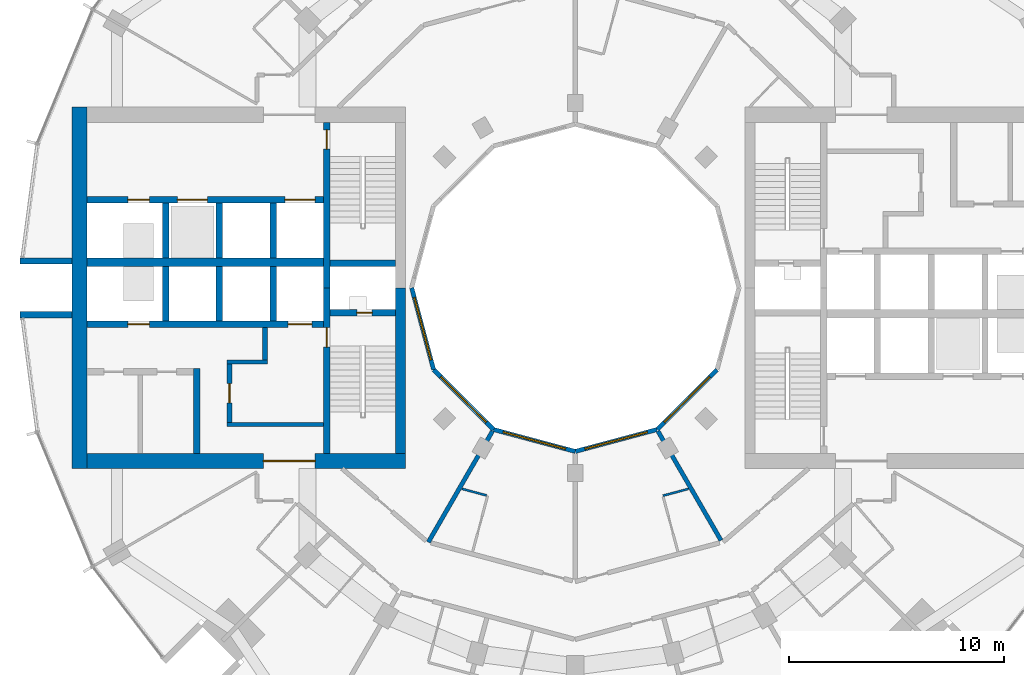
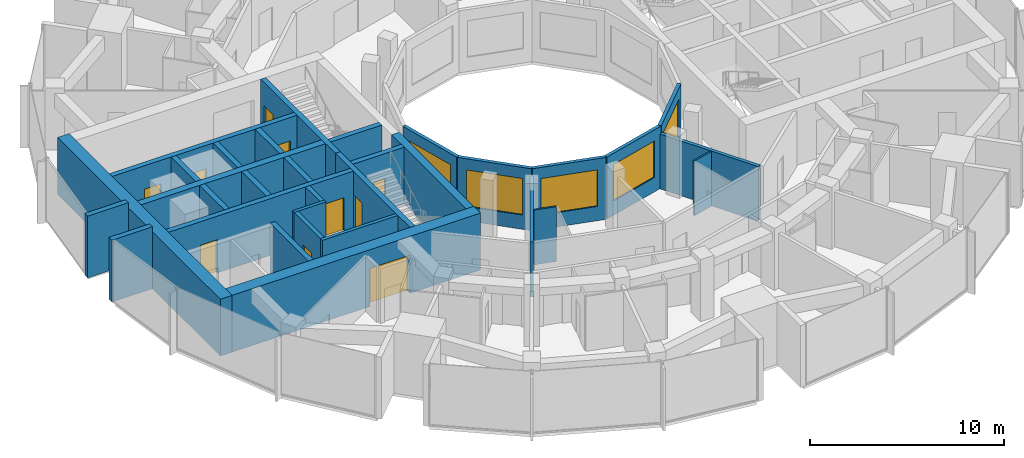
# One storey, part 9 of 15: 32 walls, 10 doors, 5 windows, 15 openings.
"""IFC4 building model written with IfcOpenShell, lengths in metres."""

from ifc_helpers import new_model, si_unit, direction, frame, frame_2d, origin, place, context, subcontext, project, spatial, rectangle, extrude, material, layer, layer_set, type_object, element, fill, save


model = new_model("IFC4")

# Units and contexts
model_context = context("Model", 3, precision=1e-05, world=origin(), true_north=direction((0.0, 1.0)))
body_context = subcontext(model_context, "Body", "Model", "MODEL_VIEW")
ifc_project = project(units=[si_unit("LENGTHUNIT", "METRE"), si_unit("AREAUNIT", "SQUARE_METRE"), si_unit("VOLUMEUNIT", "CUBIC_METRE"), si_unit("PLANEANGLEUNIT", "RADIAN"), si_unit("MASSUNIT", "GRAM", prefix="KILO")], contexts=[model_context])

# Site, building, storey
site_placement = place(None, origin())
site = spatial("IfcSite", under=ifc_project, at=site_placement, CompositionType="ELEMENT")
building_placement = place(site_placement, origin())
building = spatial("IfcBuilding", under=site, at=building_placement, Name="Torre Brocal", CompositionType="ELEMENT")
storey_placement = place(building_placement, frame((0.0, 0.0, 118.5)))
storey = spatial("IfcBuildingStorey", under=building, at=storey_placement, Name="L27", CompositionType="ELEMENT", Elevation=118.5)

# Walls
ifc_material_1 = material(Name="Concrete C70", Category="concrete")
ifc_layer_1 = layer(ifc_material_1, 0.199951171875)
ifc_layer_set_1 = layer_set([ifc_layer_1], Name="Concrete C70")
wall_type_1 = type_object("IfcWallType", Name="CORE WALL 200 C70", PredefinedType="SHEAR", material=ifc_layer_set_1)
wall_1_placement = place(storey_placement, frame((68.300048828125, 68.64990234375, 0.0), z_axis=(0.0, 0.0, 1.0), x_axis=(-1.0, 0.0, 0.0)))
element("IfcWall", 1, at=wall_1_placement, inside=storey, type_object=wall_type_1, Name="Wall CW200-70", PredefinedType="SHEAR", context=body_context, shape_type="SweptSolid", body=[
    extrude(rectangle(XDim=4.5, YDim=0.199951171875, at=frame_2d((2.25, 0.0))), origin(), (0.0, 0.0, 1.0), 3.580078125),
])
wall_2_placement = place(storey_placement, frame((65.699951171875, 71.550048828125, 0.0), z_axis=(0.0, 0.0, 1.0), x_axis=(-1.0, 0.0, 0.0)))
element("IfcWall", 2, at=wall_2_placement, inside=storey, type_object=wall_type_1, Name="Wall CW200-70", PredefinedType="SHEAR", context=body_context, shape_type="SweptSolid", body=[
    extrude(rectangle(XDim=1.89990234375, YDim=0.199951171875, at=frame_2d((0.949951171875, 0.0))), origin(), (0.0, 0.0, 1.0), 3.580078125),
])

# Wall, opening, door
ifc_material_2 = material(Name="Concrete C70", Category="concrete")
ifc_layer_2 = layer(ifc_material_2, 0.25)
ifc_layer_set_2 = layer_set([ifc_layer_2], Name="Concrete C70")
wall_type_2 = type_object("IfcWallType", Name="CORE WALL 250 C70", PredefinedType="SHEAR", material=ifc_layer_set_2)
wall_3_placement = place(storey_placement, frame((63.925048828125, 71.449951171875, 0.0), z_axis=(0.0, 0.0, 1.0), x_axis=(0.0, -1.0, 0.0)))
wall_3 = element("IfcWall", 3, at=wall_3_placement, inside=storey, type_object=wall_type_2, Name="Wall CW250-70", PredefinedType="SHEAR", context=body_context, shape_type="SweptSolid", body=[
    extrude(rectangle(XDim=2.699951171875, YDim=0.25, at=frame_2d((1.35009765625, 0.0))), origin(), (0.0, 0.0, 1.0), 3.580078125),
])
opening_1_placement = place(wall_3_placement, frame((0.89990234375, 0.0, 0.0)))
opening_1 = element("IfcOpeningElement", 4, at=opening_1_placement, cuts=wall_3, Name="Opening W-D15", PredefinedType="OPENING", context=body_context, shape_type="SweptSolid", body=[
    extrude(rectangle(XDim=0.89990234375, YDim=2.10009765625, at=frame_2d((0.449951171875, 1.050048828125))), frame((0.0, 0.135009765625, 0.0), z_axis=(0.0, -1.0, 0.0), x_axis=(1.0, 0.0, 0.0)), (0.0, 0.0, 1.0), 0.27001953125),
])
ifc_material_3 = material(Name="Steel A653", Category="steel")
door_type_1 = type_object("IfcDoorType", Name="LOBBY DOOR FD120 900X2100", OperationType="SINGLE_SWING_RIGHT", PredefinedType="DOOR", material=ifc_material_3)
door_1_placement = place(opening_1_placement, origin())
door_1 = element("IfcDoor", 5, at=door_1_placement, inside=storey, type_object=door_type_1, Name="Door W-D15", OperationType="SINGLE_SWING_LEFT", OverallHeight=2.10009765625, OverallWidth=0.89990234375, PredefinedType="DOOR", context=body_context, shape_type="SweptSolid", body=[
    extrude(rectangle(XDim=0.89990234375, YDim=2.10009765625, at=frame_2d((0.449951171875, 1.050048828125))), frame((0.0, 0.02490234375, 0.0), z_axis=(0.0, -1.0, 0.0), x_axis=(1.0, 0.0, 0.0)), (0.0, 0.0, 1.0), 0.050048828125),
])
fill(opening_1, door_1)

# Wall
wall_4_placement = place(storey_placement, frame((65.574951171875, 73.14990234375, 0.0), z_axis=(0.0, 0.0, 1.0), x_axis=(0.0, -1.0, 0.0)))
element("IfcWall", 6, at=wall_4_placement, inside=storey, type_object=wall_type_2, Name="Wall CW250-70", PredefinedType="SHEAR", context=body_context, shape_type="SweptSolid", body=[
    extrude(rectangle(XDim=1.5, YDim=0.25, at=frame_2d((0.75, 0.0))), origin(), (0.0, 0.0, 1.0), 3.580078125),
])

# Wall, opening, door
ifc_material_4 = material(Name="Concrete C70", Category="concrete")
ifc_layer_3 = layer(ifc_material_4, 0.300048828125)
ifc_layer_set_3 = layer_set([ifc_layer_3], Name="Concrete C70")
wall_type_3 = type_object("IfcWallType", Name="CORE WALL 300 C70", PredefinedType="SHEAR", material=ifc_layer_set_3)
wall_5_placement = place(storey_placement, frame((68.449951171875, 75.0, 0.0), z_axis=(0.0, 0.0, 1.0), x_axis=(0.0, -1.0, 0.0)))
wall_5 = element("IfcWall", 7, at=wall_5_placement, inside=storey, type_object=wall_type_3, Name="Wall CW300-70", PredefinedType="SHEAR", context=body_context, shape_type="SweptSolid", body=[
    extrude(rectangle(XDim=7.699951171875, YDim=0.300048828125, at=frame_2d((3.85009765625, 0.0))), origin(), (0.0, 0.0, 1.0), 3.580078125),
])
opening_2_placement = place(wall_5_placement, frame((1.85009765625, 0.0, 0.0)))
opening_2 = element("IfcOpeningElement", 8, at=opening_2_placement, cuts=wall_5, Name="Opening W-D02", PredefinedType="OPENING", context=body_context, shape_type="SweptSolid", body=[
    extrude(rectangle(XDim=0.89990234375, YDim=2.10009765625, at=frame_2d((0.449951171875, 1.050048828125))), frame((0.0, 0.159912109375, 0.0), z_axis=(0.0, -1.0, 0.0), x_axis=(1.0, 0.0, 0.0)), (0.0, 0.0, 1.0), 0.320068359375),
])
ifc_material_5 = material(Name="Steel A653", Category="steel")
door_type_2 = type_object("IfcDoorType", Name="STAIR DOOR FD120 900X2100", OperationType="SINGLE_SWING_RIGHT", PredefinedType="DOOR", material=ifc_material_5)
door_2_placement = place(opening_2_placement, origin())
door_2 = element("IfcDoor", 9, at=door_2_placement, inside=storey, type_object=door_type_2, Name="Door W-D02", OperationType="SINGLE_SWING_LEFT", OverallHeight=2.10009765625, OverallWidth=0.89990234375, PredefinedType="DOOR", context=body_context, shape_type="SweptSolid", body=[
    extrude(rectangle(XDim=0.89990234375, YDim=2.10009765625, at=frame_2d((0.449951171875, 1.050048828125))), frame((0.0, 0.02490234375, 0.0), z_axis=(0.0, -1.0, 0.0), x_axis=(1.0, 0.0, 0.0)), (0.0, 0.0, 1.0), 0.050048828125),
])
fill(opening_2, door_2)

wall_6_placement = place(storey_placement, frame((68.449951171875, 82.699951171875, 0.0), z_axis=(0.0, 0.0, 1.0), x_axis=(0.0, -1.0, 0.0)))
wall_6 = element("IfcWall", 10, at=wall_6_placement, inside=storey, type_object=wall_type_3, Name="Wall CW300-70", PredefinedType="SHEAR", context=body_context, shape_type="SweptSolid", body=[
    extrude(rectangle(XDim=7.699951171875, YDim=0.300048828125, at=frame_2d((3.85009765625, 0.0))), origin(), (0.0, 0.0, 1.0), 3.580078125),
])
opening_3_placement = place(wall_6_placement, frame((0.35009765625, 0.0, 0.0)))
opening_3 = element("IfcOpeningElement", 11, at=opening_3_placement, cuts=wall_6, Name="Opening W-D03", PredefinedType="OPENING", context=body_context, shape_type="SweptSolid", body=[
    extrude(rectangle(XDim=0.89990234375, YDim=2.10009765625, at=frame_2d((0.449951171875, 1.050048828125))), frame((0.0, 0.159912109375, 0.0), z_axis=(0.0, -1.0, 0.0), x_axis=(1.0, 0.0, 0.0)), (0.0, 0.0, 1.0), 0.320068359375),
])
door_3_placement = place(opening_3_placement, origin())
door_3 = element("IfcDoor", 12, at=door_3_placement, inside=storey, type_object=door_type_2, Name="Door W-D03", OperationType="SINGLE_SWING_LEFT", OverallHeight=2.10009765625, OverallWidth=0.89990234375, PredefinedType="DOOR", context=body_context, shape_type="SweptSolid", body=[
    extrude(rectangle(XDim=0.89990234375, YDim=2.10009765625, at=frame_2d((0.449951171875, 1.050048828125))), frame((0.0, 0.02490234375, 0.0), z_axis=(0.0, -1.0, 0.0), x_axis=(1.0, 0.0, 0.0)), (0.0, 0.0, 1.0), 0.050048828125),
])
fill(opening_3, door_3)

wall_7_placement = place(storey_placement, frame((71.64990234375, 73.85009765625, 0.0), z_axis=(0.0, 0.0, 1.0), x_axis=(-1.0, 0.0, 0.0)))
wall_7 = element("IfcWall", 13, at=wall_7_placement, inside=storey, type_object=wall_type_3, Name="Wall CW300-70", PredefinedType="SHEAR", context=body_context, shape_type="SweptSolid", body=[
    extrude(rectangle(XDim=3.0498046875, YDim=0.300048828125, at=frame_2d((1.52490234375, 0.0))), origin(), (0.0, 0.0, 1.0), 3.580078125),
])
opening_4_placement = place(wall_7_placement, frame((1.10009765625, 0.0, 0.0)))
opening_4 = element("IfcOpeningElement", 14, at=opening_4_placement, cuts=wall_7, Name="Opening W-D01", PredefinedType="OPENING", context=body_context, shape_type="SweptSolid", body=[
    extrude(rectangle(XDim=0.699951171875, YDim=2.0, at=frame_2d((0.35009765625, 1.0))), frame((0.0, 0.159912109375, 0.0), z_axis=(0.0, -1.0, 0.0), x_axis=(1.0, 0.0, 0.0)), (0.0, 0.0, 1.0), 0.320068359375),
])
ifc_material_6 = material(Name="Steel A653", Category="steel")
door_type_3 = type_object("IfcDoorType", Name="RISER DOOR FD120 700X2000", OperationType="SINGLE_SWING_LEFT", PredefinedType="DOOR", material=ifc_material_6)
door_4_placement = place(opening_4_placement, frame((0.699951171875, 0.0, 0.0), z_axis=(0.0, 0.0, 1.0), x_axis=(-1.0, 0.0, 0.0)))
door_4 = element("IfcDoor", 15, at=door_4_placement, inside=storey, type_object=door_type_3, Name="Door W-D01", OperationType="SINGLE_SWING_RIGHT", OverallHeight=2.0, OverallWidth=0.699951171875, PredefinedType="DOOR", context=body_context, shape_type="SweptSolid", body=[
    extrude(rectangle(XDim=0.699951171875, YDim=2.0, at=frame_2d((0.35009765625, 1.0))), frame((0.0, 0.02490234375, 0.0), z_axis=(0.0, -1.0, 0.0), x_axis=(1.0, 0.0, 0.0)), (0.0, 0.0, 1.0), 0.050048828125),
])
fill(opening_4, door_4)

# Wall
wall_8_placement = place(storey_placement, frame((71.64990234375, 76.14990234375, 0.0), z_axis=(0.0, 0.0, 1.0), x_axis=(-1.0, 0.0, 0.0)))
element("IfcWall", 16, at=wall_8_placement, inside=storey, type_object=wall_type_3, Name="Wall CW300-70", PredefinedType="SHEAR", context=body_context, shape_type="SweptSolid", body=[
    extrude(rectangle(XDim=3.0498046875, YDim=0.300048828125, at=frame_2d((1.52490234375, 0.0))), origin(), (0.0, 0.0, 1.0), 3.580078125),
])

# Wall, openings, doors
wall_9_placement = place(storey_placement, frame((68.300048828125, 73.300048828125, 0.0), z_axis=(0.0, 0.0, 1.0), x_axis=(-1.0, 0.0, 0.0)))
wall_9 = element("IfcWall", 17, at=wall_9_placement, inside=storey, type_object=wall_type_3, Name="Wall CW300-70", PredefinedType="SHEAR", context=body_context, shape_type="SweptSolid", body=[
    extrude(rectangle(XDim=11.0, YDim=0.300048828125, at=frame_2d((5.5, 0.0))), origin(), (0.0, 0.0, 1.0), 3.580078125),
])
opening_5_placement = place(wall_9_placement, frame((0.550048828125, 0.0, 0.0)))
opening_5 = element("IfcOpeningElement", 18, at=opening_5_placement, cuts=wall_9, Name="Opening LD", PredefinedType="OPENING", context=body_context, shape_type="SweptSolid", body=[
    extrude(rectangle(XDim=1.10009765625, YDim=2.10009765625, at=frame_2d((0.550048828125, 1.050048828125))), frame((0.0, 0.159912109375, 0.0), z_axis=(0.0, -1.0, 0.0), x_axis=(1.0, 0.0, 0.0)), (0.0, 0.0, 1.0), 0.320068359375),
])
opening_6_placement = place(wall_9_placement, frame((8.10009765625, 0.0, 0.0)))
opening_6 = element("IfcOpeningElement", 19, at=opening_6_placement, cuts=wall_9, Name="Opening LD10", PredefinedType="OPENING", context=body_context, shape_type="SweptSolid", body=[
    extrude(rectangle(XDim=1.0, YDim=2.10009765625, at=frame_2d((0.5, 1.050048828125))), frame((0.0, 0.159912109375, 0.0), z_axis=(0.0, -1.0, 0.0), x_axis=(1.0, 0.0, 0.0)), (0.0, 0.0, 1.0), 0.320068359375),
])
ifc_material_7 = material(Name="Stainless steel AISI 316", Category="steel")
door_type_4 = type_object("IfcDoorType", Name="LIFT LANDING DOOR 1000X2100", OperationType="DOUBLE_DOOR_SLIDING", PredefinedType="DOOR", material=ifc_material_7)
door_5_placement = place(opening_6_placement, origin())
door_5 = element("IfcDoor", 20, at=door_5_placement, inside=storey, type_object=door_type_4, Name="Door LD10", OperationType="DOUBLE_DOOR_SLIDING", OverallHeight=2.10009765625, OverallWidth=1.0, PredefinedType="DOOR", context=body_context, shape_type="SweptSolid", body=[
    extrude(rectangle(XDim=1.0, YDim=2.10009765625, at=frame_2d((0.5, 1.050048828125))), frame((0.0, 0.02490234375, 0.0), z_axis=(0.0, -1.0, 0.0), x_axis=(1.0, 0.0, 0.0)), (0.0, 0.0, 1.0), 0.050048828125),
])
fill(opening_6, door_5)
ifc_material_8 = material(Name="Stainless steel AISI 316", Category="steel")
door_type_5 = type_object("IfcDoorType", Name="LIFT LANDING DOOR 1100X2100", OperationType="DOUBLE_DOOR_SLIDING", PredefinedType="DOOR", material=ifc_material_8)
door_6_placement = place(opening_5_placement, origin())
door_6 = element("IfcDoor", 21, at=door_6_placement, inside=storey, type_object=door_type_5, Name="Door LD", OperationType="DOUBLE_DOOR_SLIDING", OverallHeight=2.10009765625, OverallWidth=1.10009765625, PredefinedType="DOOR", context=body_context, shape_type="SweptSolid", body=[
    extrude(rectangle(XDim=1.10009765625, YDim=2.10009765625, at=frame_2d((0.550048828125, 1.050048828125))), frame((0.0, 0.02490234375, 0.0), z_axis=(0.0, -1.0, 0.0), x_axis=(1.0, 0.0, 0.0)), (0.0, 0.0, 1.0), 0.050048828125),
])
fill(opening_5, door_6)

wall_10_placement = place(storey_placement, frame((68.300048828125, 79.10009765625, 0.0), z_axis=(0.0, 0.0, 1.0), x_axis=(-1.0, 0.0, 0.0)))
wall_10 = element("IfcWall", 22, at=wall_10_placement, inside=storey, type_object=wall_type_3, Name="Wall CW300-70", PredefinedType="SHEAR", context=body_context, shape_type="SweptSolid", body=[
    extrude(rectangle(XDim=11.0, YDim=0.300048828125, at=frame_2d((5.5, 0.0))), origin(), (0.0, 0.0, 1.0), 3.580078125),
])
opening_7_placement = place(wall_10_placement, frame((0.39990234375, 0.0, 0.0)))
opening_7 = element("IfcOpeningElement", 23, at=opening_7_placement, cuts=wall_10, Name="Opening LD14", PredefinedType="OPENING", context=body_context, shape_type="SweptSolid", body=[
    extrude(rectangle(XDim=1.39990234375, YDim=2.10009765625, at=frame_2d((0.699951171875, 1.050048828125))), frame((0.0, 0.159912109375, 0.0), z_axis=(0.0, -1.0, 0.0), x_axis=(1.0, 0.0, 0.0)), (0.0, 0.0, 1.0), 0.320068359375),
])
opening_8_placement = place(wall_10_placement, frame((5.39990234375, 0.0, 0.0)))
opening_8 = element("IfcOpeningElement", 24, at=opening_8_placement, cuts=wall_10, Name="Opening LD14", PredefinedType="OPENING", context=body_context, shape_type="SweptSolid", body=[
    extrude(rectangle(XDim=1.39990234375, YDim=2.10009765625, at=frame_2d((0.699951171875, 1.050048828125))), frame((0.0, 0.159912109375, 0.0), z_axis=(0.0, -1.0, 0.0), x_axis=(1.0, 0.0, 0.0)), (0.0, 0.0, 1.0), 0.320068359375),
])
opening_9_placement = place(wall_10_placement, frame((8.10009765625, 0.0, 0.0)))
opening_9 = element("IfcOpeningElement", 25, at=opening_9_placement, cuts=wall_10, Name="Opening LD10", PredefinedType="OPENING", context=body_context, shape_type="SweptSolid", body=[
    extrude(rectangle(XDim=1.0, YDim=2.10009765625, at=frame_2d((0.5, 1.050048828125))), frame((0.0, 0.159912109375, 0.0), z_axis=(0.0, -1.0, 0.0), x_axis=(1.0, 0.0, 0.0)), (0.0, 0.0, 1.0), 0.320068359375),
])
door_7_placement = place(opening_9_placement, origin())
door_7 = element("IfcDoor", 26, at=door_7_placement, inside=storey, type_object=door_type_4, Name="Door LD10", OperationType="DOUBLE_DOOR_SLIDING", OverallHeight=2.10009765625, OverallWidth=1.0, PredefinedType="DOOR", context=body_context, shape_type="SweptSolid", body=[
    extrude(rectangle(XDim=1.0, YDim=2.10009765625, at=frame_2d((0.5, 1.050048828125))), frame((0.0, 0.02490234375, 0.0), z_axis=(0.0, -1.0, 0.0), x_axis=(1.0, 0.0, 0.0)), (0.0, 0.0, 1.0), 0.050048828125),
])
fill(opening_9, door_7)
ifc_material_9 = material(Name="Stainless steel AISI 316", Category="steel")
door_type_6 = type_object("IfcDoorType", Name="LIFT LANDING DOOR 1400X2100", OperationType="DOUBLE_DOOR_SLIDING", PredefinedType="DOOR", material=ifc_material_9)
door_8_placement = place(opening_7_placement, origin())
door_8 = element("IfcDoor", 27, at=door_8_placement, inside=storey, type_object=door_type_6, Name="Door LD14", OperationType="DOUBLE_DOOR_SLIDING", OverallHeight=2.10009765625, OverallWidth=1.39990234375, PredefinedType="DOOR", context=body_context, shape_type="SweptSolid", body=[
    extrude(rectangle(XDim=1.39990234375, YDim=2.10009765625, at=frame_2d((0.699951171875, 1.050048828125))), frame((0.0, 0.02490234375, 0.0), z_axis=(0.0, -1.0, 0.0), x_axis=(1.0, 0.0, 0.0)), (0.0, 0.0, 1.0), 0.050048828125),
])
fill(opening_7, door_8)
door_9_placement = place(opening_8_placement, origin())
door_9 = element("IfcDoor", 28, at=door_9_placement, inside=storey, type_object=door_type_6, Name="Door LD14", OperationType="DOUBLE_DOOR_SLIDING", OverallHeight=2.10009765625, OverallWidth=1.39990234375, PredefinedType="DOOR", context=body_context, shape_type="SweptSolid", body=[
    extrude(rectangle(XDim=1.39990234375, YDim=2.10009765625, at=frame_2d((0.699951171875, 1.050048828125))), frame((0.0, 0.02490234375, 0.0), z_axis=(0.0, -1.0, 0.0), x_axis=(1.0, 0.0, 0.0)), (0.0, 0.0, 1.0), 0.050048828125),
])
fill(opening_8, door_9)

# Walls
for number, where, z_axis, x_axis, name in (
    (29, (65.949951171875, 76.0, 0.0), (0.0, 0.0, 1.0), (0.0, -1.0, 0.0), "Wall CW300-70"),
    (30, (63.449951171875, 76.0, 0.0), (0.0, 0.0, 1.0), (0.0, -1.0, 0.0), "Wall CW300-70"),
    (31, (60.949951171875, 76.0, 0.0), (0.0, 0.0, 1.0), (0.0, -1.0, 0.0), "Wall CW300-70"),
    (32, (65.949951171875, 78.949951171875, 0.0), (0.0, 0.0, 1.0), (0.0, -1.0, 0.0), "Wall CW300-70"),
    (33, (63.449951171875, 78.949951171875, 0.0), (0.0, 0.0, 1.0), (0.0, -1.0, 0.0), "Wall CW300-70"),
    (34, (60.949951171875, 78.949951171875, 0.0), (0.0, 0.0, 1.0), (0.0, -1.0, 0.0), "Wall CW300-70"),
):
    element("IfcWall", number, at=place(storey_placement, frame(where, z_axis=z_axis, x_axis=x_axis)), inside=storey, type_object=wall_type_3, Name=name, PredefinedType="SHEAR", context=body_context, shape_type="SweptSolid", body=[
        extrude(rectangle(XDim=2.550048828125, YDim=0.300048828125, at=frame_2d((1.27490234375, 0.0))), origin(), (0.0, 0.0, 1.0), 3.580078125),
    ])
wall_11_placement = place(storey_placement, frame((62.39990234375, 71.25, 0.0), z_axis=(0.0, 0.0, 1.0), x_axis=(0.0, -1.0, 0.0)))
element("IfcWall", 35, at=wall_11_placement, inside=storey, type_object=wall_type_3, Name="Wall CW300-70", PredefinedType="SHEAR", context=body_context, shape_type="SweptSolid", body=[
    extrude(rectangle(XDim=3.949951171875, YDim=0.300048828125, at=frame_2d((1.97509765625, 0.0))), origin(), (0.0, 0.0, 1.0), 3.580078125),
])
ifc_material_10 = material(Name="Concrete C70", Category="concrete")
ifc_layer_4 = layer(ifc_material_10, 0.39990234375)
ifc_layer_set_4 = layer_set([ifc_layer_4], Name="Concrete C70")
wall_type_4 = type_object("IfcWallType", Name="CORE WALL 400 C70", PredefinedType="SHEAR", material=ifc_layer_set_4)
wall_12_placement = place(storey_placement, frame((68.300048828125, 76.199951171875, 0.0), z_axis=(0.0, 0.0, 1.0), x_axis=(-1.0, 0.0, 0.0)))
element("IfcWall", 36, at=wall_12_placement, inside=storey, type_object=wall_type_4, Name="Wall CW400-70", PredefinedType="SHEAR", context=body_context, shape_type="SweptSolid", body=[
    extrude(rectangle(XDim=11.0, YDim=0.39990234375, at=frame_2d((5.5, 0.0))), origin(), (0.0, 0.0, 1.0), 3.580078125),
])
ifc_material_11 = material(Name="Concrete C70", Category="concrete")
ifc_layer_5 = layer(ifc_material_11, 0.449951171875)
ifc_layer_set_5 = layer_set([ifc_layer_5], Name="Concrete C70")
wall_type_5 = type_object("IfcWallType", Name="CORE WALL 450 C70", PredefinedType="SHEAR", material=ifc_layer_set_5)
wall_13_placement = place(storey_placement, frame((71.875, 75.0, 0.0), z_axis=(0.0, 0.0, 1.0), x_axis=(0.0, -1.0, 0.0)))
element("IfcWall", 37, at=wall_13_placement, inside=storey, type_object=wall_type_5, Name="Wall CW450-70", PredefinedType="SHEAR", context=body_context, shape_type="SweptSolid", body=[
    extrude(rectangle(XDim=7.699951171875, YDim=0.449951171875, at=frame_2d((3.85009765625, 0.0))), origin(), (0.0, 0.0, 1.0), 3.580078125),
])

# Wall, opening, door
ifc_material_12 = material(Name="Concrete C70", Category="concrete")
ifc_layer_6 = layer(ifc_material_12, 0.699951171875)
ifc_layer_set_6 = layer_set([ifc_layer_6], Name="Concrete C70")
wall_type_6 = type_object("IfcWallType", Name="CORE WALL 700 C70", PredefinedType="SHEAR", material=ifc_layer_set_6)
wall_14_placement = place(storey_placement, frame((72.10009765625, 66.949951171875, 0.0), z_axis=(0.0, 0.0, 1.0), x_axis=(-1.0, 0.0, 0.0)))
wall_14 = element("IfcWall", 38, at=wall_14_placement, inside=storey, type_object=wall_type_6, Name="Wall CW700-70", PredefinedType="SHEAR", context=body_context, shape_type="SweptSolid", body=[
    extrude(rectangle(XDim=14.800048828125, YDim=0.699951171875, at=frame_2d((7.39990234375, 0.0))), origin(), (0.0, 0.0, 1.0), 3.580078125),
])
opening_10_placement = place(wall_14_placement, frame((4.199951171875, 0.0, 0.0)))
opening_10 = element("IfcOpeningElement", 39, at=opening_10_placement, cuts=wall_14, Name="Opening W-D24", PredefinedType="OPENING", context=body_context, shape_type="SweptSolid", body=[
    extrude(rectangle(XDim=2.39990234375, YDim=2.39990234375, at=frame_2d((1.199951171875, 1.199951171875))), frame((0.0, 0.35986328125, 0.0), z_axis=(0.0, -1.0, 0.0), x_axis=(1.0, 0.0, 0.0)), (0.0, 0.0, 1.0), 0.719970703125),
])
ifc_material_13 = material(Name="Steel A653", Category="steel")
door_type_7 = type_object("IfcDoorType", Name="DOUBLE FIRE DOOR FD90 2400X2400", OperationType="DOUBLE_DOOR_SINGLE_SWING", PredefinedType="DOOR", material=ifc_material_13)
door_10_placement = place(opening_10_placement, frame((2.39990234375, 0.0, 0.0), z_axis=(0.0, 0.0, 1.0), x_axis=(-1.0, 0.0, 0.0)))
door_10 = element("IfcDoor", 40, at=door_10_placement, inside=storey, type_object=door_type_7, Name="Door W-D24", OperationType="DOUBLE_DOOR_SINGLE_SWING", OverallHeight=2.39990234375, OverallWidth=2.39990234375, PredefinedType="DOOR", context=body_context, shape_type="SweptSolid", body=[
    extrude(rectangle(XDim=2.39990234375, YDim=2.39990234375, at=frame_2d((1.199951171875, 1.199951171875))), frame((0.0, 0.02490234375, 0.0), z_axis=(0.0, -1.0, 0.0), x_axis=(1.0, 0.0, 0.0)), (0.0, 0.0, 1.0), 0.050048828125),
])
fill(opening_10, door_10)

# Walls
wall_15_placement = place(storey_placement, frame((56.949951171875, 83.39990234375, 0.0), z_axis=(0.0, 0.0, 1.0), x_axis=(0.0, -1.0, 0.0)))
element("IfcWall", 41, at=wall_15_placement, inside=storey, type_object=wall_type_6, Name="Wall CW700-70", PredefinedType="SHEAR", context=body_context, shape_type="SweptSolid", body=[
    extrude(rectangle(XDim=16.7998046875, YDim=0.699951171875, at=frame_2d((8.39990234375, 0.0))), origin(), (0.0, 0.0, 1.0), 3.580078125),
])
ifc_material_14 = material(Name="Concrete C70", Category="concrete")
ifc_layer_7 = layer(ifc_material_14, 0.300048828125)
ifc_layer_set_7 = layer_set([ifc_layer_7], Name="Concrete C70")
wall_type_7 = type_object("IfcWallType", Name="NOTCH RETURN WALL 300 C70", PredefinedType="NOTDEFINED", material=ifc_layer_set_7)
for number, where, z_axis, x_axis, name in (
    (42, (56.60009765625, 76.25, 0.0), (0.0, 0.0, 1.0), (-1.0, 0.0, 0.0), "NOTCH RETURN WALL"),
    (43, (56.60009765625, 73.75, 0.0), (0.0, 0.0, 1.0), (-1.0, 0.0, 0.0), "NOTCH RETURN WALL"),
):
    element("IfcWall", number, at=place(storey_placement, frame(where, z_axis=z_axis, x_axis=x_axis)), inside=storey, type_object=wall_type_7, Name=name, PredefinedType="NOTDEFINED", context=body_context, shape_type="SweptSolid", body=[
        extrude(rectangle(XDim=2.415771484375, YDim=0.300048828125, at=frame_2d((1.2080078125, 0.0))), origin(), (0.0, 0.0, 1.0), 3.89990234375),
    ])
ifc_material_15 = material(Name="Gypsum board", Category="Gypsum")
ifc_layer_8 = layer(ifc_material_15, 0.10009765625)
ifc_layer_set_8 = layer_set([ifc_layer_8], Name="Gypsum board")
wall_type_8 = type_object("IfcWallType", Name="PARTITION 100", PredefinedType="PARTITIONING", material=ifc_layer_set_8)
wall_16_placement = place(storey_placement, frame((74.729248046875, 65.657470703125, 0.0), z_axis=(0.0, 0.0, 1.0), x_axis=(0.965948051503, -0.258736085224, 0.0)))
element("IfcWall", 44, at=wall_16_placement, inside=storey, type_object=wall_type_8, Name="BATHROOM WALL", PredefinedType="PARTITIONING", context=body_context, shape_type="SweptSolid", body=[
    extrude(rectangle(XDim=1.18896484375, YDim=0.10009765625, at=frame_2d((0.594482421875, 0.0))), origin(), (0.0, 0.0, 1.0), 3.449951171875),
])
wall_17_placement = place(storey_placement, frame((84.073974609375, 65.3369140625, 0.0), z_axis=(0.0, 0.0, 1.0), x_axis=(0.965914351064, 0.258861867428, 0.0)))
element("IfcWall", 45, at=wall_17_placement, inside=storey, type_object=wall_type_8, Name="BATHROOM WALL", PredefinedType="PARTITIONING", context=body_context, shape_type="SweptSolid", body=[
    extrude(rectangle(XDim=1.22900390625, YDim=0.10009765625, at=frame_2d((0.614501953125, 0.0))), origin(), (0.0, 0.0, 1.0), 3.449951171875),
])
ifc_material_16 = material(Name="Gypsum board", Category="Gypsum")
ifc_layer_9 = layer(ifc_material_16, 0.199951171875)
ifc_layer_set_9 = layer_set([ifc_layer_9], Name="Gypsum board")
wall_type_9 = type_object("IfcWallType", Name="PARTITION 200 EI60", PredefinedType="PARTITIONING", material=ifc_layer_set_9)
wall_18_placement = place(storey_placement, frame((73.169189453125, 63.17822265625, 0.0), z_axis=(0.0, 0.0, 1.0), x_axis=(0.500239348149, 0.865887171959, 0.0)))
element("IfcWall", 46, at=wall_18_placement, inside=storey, type_object=wall_type_9, Name="BATHROOM WALL", PredefinedType="PARTITIONING", context=body_context, shape_type="SweptSolid", body=[
    extrude(rectangle(XDim=5.955078125, YDim=0.199951171875, at=frame_2d((2.9775390625, 0.0))), origin(), (0.0, 0.0, 1.0), 3.449951171875),
])
wall_19_placement = place(storey_placement, frame((83.84765625, 68.332275390625, 0.0), z_axis=(0.0, 0.0, 1.0), x_axis=(0.499933000352, -0.866064082594, 0.0)))
element("IfcWall", 47, at=wall_19_placement, inside=storey, type_object=wall_type_9, Name="BATHROOM WALL", PredefinedType="PARTITIONING", context=body_context, shape_type="SweptSolid", body=[
    extrude(rectangle(XDim=5.855224609375, YDim=0.199951171875, at=frame_2d((2.927734375, 0.0))), origin(), (0.0, 0.0, 1.0), 3.449951171875),
])

# Wall, opening, window
ifc_material_17 = material(Name="Concrete C40", Category="concrete")
ifc_layer_10 = layer(ifc_material_17, 0.199951171875)
ifc_layer_set_10 = layer_set([ifc_layer_10], Name="Concrete C40")
wall_type_10 = type_object("IfcWallType", Name="WELL FACADE WALL 200", PredefinedType="NOTDEFINED", material=ifc_layer_set_10)
wall_20_placement = place(storey_placement, frame((72.396484375, 75.0, 0.0), z_axis=(0.0, 0.0, 1.0), x_axis=(0.258789828301, -0.965933654434, 0.0)))
wall_20 = element("IfcWall", 48, at=wall_20_placement, inside=storey, type_object=wall_type_10, Name="WELL FACADE WALL", PredefinedType="NOTDEFINED", context=body_context, shape_type="SweptSolid", body=[
    extrude(rectangle(XDim=3.935791015625, YDim=0.199951171875, at=frame_2d((1.9677734375, 0.0))), origin(), (0.0, 0.0, 1.0), 3.89990234375),
])
opening_11_placement = place(wall_20_placement, frame((0.468017578125, 0.0, 0.89990234375)))
opening_11 = element("IfcOpeningElement", 49, at=opening_11_placement, cuts=wall_20, Name="Opening W1", PredefinedType="OPENING", context=body_context, shape_type="SweptSolid", body=[
    extrude(rectangle(XDim=3.0, YDim=2.300048828125, at=frame_2d((1.5, 1.14990234375))), frame((0.0, 0.10986328125, 0.0), z_axis=(0.0, -1.0, 0.0), x_axis=(1.0, 0.0, 0.0)), (0.0, 0.0, 1.0), 0.219970703125),
])
ifc_material_18 = material(Name="Aluminium and glass", Category="aluminium")
window_type = type_object("IfcWindowType", Name="WELL WINDOW 3000X2300", PartitioningType="SINGLE_PANEL", PredefinedType="WINDOW", material=ifc_material_18)
window_1_placement = place(opening_11_placement, origin())
window_1 = element("IfcWindow", 50, at=window_1_placement, inside=storey, type_object=window_type, Name="WELL WINDOW 3000X2300", OverallHeight=2.300048828125, OverallWidth=3.0, PartitioningType="SINGLE_PANEL", PredefinedType="WINDOW", context=body_context, shape_type="SweptSolid", body=[
    extrude(rectangle(XDim=3.0, YDim=2.300048828125, at=frame_2d((1.5, 1.14990234375))), frame((0.0, 0.030029296875, 0.0), z_axis=(0.0, -1.0, 0.0), x_axis=(1.0, 0.0, 0.0)), (0.0, 0.0, 1.0), 0.06005859375),
])
fill(opening_11, window_1)

wall_21_placement = place(storey_placement, frame((73.4150390625, 71.1982421875, 0.0), z_axis=(0.0, 0.0, 1.0), x_axis=(0.707106781187, -0.707106781187, 0.0)))
wall_21 = element("IfcWall", 51, at=wall_21_placement, inside=storey, type_object=wall_type_10, Name="WELL FACADE WALL", PredefinedType="NOTDEFINED", context=body_context, shape_type="SweptSolid", body=[
    extrude(rectangle(XDim=3.93603515625, YDim=0.199951171875, at=frame_2d((1.968017578125, 0.0))), origin(), (0.0, 0.0, 1.0), 3.89990234375),
])
opening_12_placement = place(wall_21_placement, frame((0.468017578125, 0.0, 0.89990234375)))
opening_12 = element("IfcOpeningElement", 52, at=opening_12_placement, cuts=wall_21, Name="Opening W1", PredefinedType="OPENING", context=body_context, shape_type="SweptSolid", body=[
    extrude(rectangle(XDim=3.0, YDim=2.300048828125, at=frame_2d((1.5, 1.14990234375))), frame((0.0, 0.10986328125, 0.0), z_axis=(0.0, -1.0, 0.0), x_axis=(1.0, 0.0, 0.0)), (0.0, 0.0, 1.0), 0.219970703125),
])
window_2_placement = place(opening_12_placement, origin())
window_2 = element("IfcWindow", 53, at=window_2_placement, inside=storey, type_object=window_type, Name="WELL WINDOW 3000X2300", OverallHeight=2.300048828125, OverallWidth=3.0, PartitioningType="SINGLE_PANEL", PredefinedType="WINDOW", context=body_context, shape_type="SweptSolid", body=[
    extrude(rectangle(XDim=3.0, YDim=2.300048828125, at=frame_2d((1.5, 1.14990234375))), frame((0.0, 0.030029296875, 0.0), z_axis=(0.0, -1.0, 0.0), x_axis=(1.0, 0.0, 0.0)), (0.0, 0.0, 1.0), 0.06005859375),
])
fill(opening_12, window_2)

wall_22_placement = place(storey_placement, frame((76.1982421875, 68.4150390625, 0.0), z_axis=(0.0, 0.0, 1.0), x_axis=(0.965933654434, -0.258789828301, 0.0)))
wall_22 = element("IfcWall", 54, at=wall_22_placement, inside=storey, type_object=wall_type_10, Name="WELL FACADE WALL", PredefinedType="NOTDEFINED", context=body_context, shape_type="SweptSolid", body=[
    extrude(rectangle(XDim=3.935791015625, YDim=0.199951171875, at=frame_2d((1.9677734375, 0.0))), origin(), (0.0, 0.0, 1.0), 3.89990234375),
])
opening_13_placement = place(wall_22_placement, frame((0.468017578125, 0.0, 0.89990234375)))
opening_13 = element("IfcOpeningElement", 55, at=opening_13_placement, cuts=wall_22, Name="Opening W1", PredefinedType="OPENING", context=body_context, shape_type="SweptSolid", body=[
    extrude(rectangle(XDim=3.0, YDim=2.300048828125, at=frame_2d((1.5, 1.14990234375))), frame((0.0, 0.10986328125, 0.0), z_axis=(0.0, -1.0, 0.0), x_axis=(1.0, 0.0, 0.0)), (0.0, 0.0, 1.0), 0.219970703125),
])
window_3_placement = place(opening_13_placement, origin())
window_3 = element("IfcWindow", 56, at=window_3_placement, inside=storey, type_object=window_type, Name="WELL WINDOW 3000X2300", OverallHeight=2.300048828125, OverallWidth=3.0, PartitioningType="SINGLE_PANEL", PredefinedType="WINDOW", context=body_context, shape_type="SweptSolid", body=[
    extrude(rectangle(XDim=3.0, YDim=2.300048828125, at=frame_2d((1.5, 1.14990234375))), frame((0.0, 0.030029296875, 0.0), z_axis=(0.0, -1.0, 0.0), x_axis=(1.0, 0.0, 0.0)), (0.0, 0.0, 1.0), 0.06005859375),
])
fill(opening_13, window_3)

wall_23_placement = place(storey_placement, frame((80.0, 67.396484375, 0.0), z_axis=(0.0, 0.0, 1.0), x_axis=(0.965933654434, 0.258789828301, 0.0)))
wall_23 = element("IfcWall", 57, at=wall_23_placement, inside=storey, type_object=wall_type_10, Name="WELL FACADE WALL", PredefinedType="NOTDEFINED", context=body_context, shape_type="SweptSolid", body=[
    extrude(rectangle(XDim=3.935791015625, YDim=0.199951171875, at=frame_2d((1.9677734375, 0.0))), origin(), (0.0, 0.0, 1.0), 3.89990234375),
])
opening_14_placement = place(wall_23_placement, frame((0.468017578125, 0.0, 0.89990234375)))
opening_14 = element("IfcOpeningElement", 58, at=opening_14_placement, cuts=wall_23, Name="Opening W1", PredefinedType="OPENING", context=body_context, shape_type="SweptSolid", body=[
    extrude(rectangle(XDim=3.0, YDim=2.300048828125, at=frame_2d((1.5, 1.14990234375))), frame((0.0, 0.10986328125, 0.0), z_axis=(0.0, -1.0, 0.0), x_axis=(1.0, 0.0, 0.0)), (0.0, 0.0, 1.0), 0.219970703125),
])
window_4_placement = place(opening_14_placement, origin())
window_4 = element("IfcWindow", 59, at=window_4_placement, inside=storey, type_object=window_type, Name="WELL WINDOW 3000X2300", OverallHeight=2.300048828125, OverallWidth=3.0, PartitioningType="SINGLE_PANEL", PredefinedType="WINDOW", context=body_context, shape_type="SweptSolid", body=[
    extrude(rectangle(XDim=3.0, YDim=2.300048828125, at=frame_2d((1.5, 1.14990234375))), frame((0.0, 0.030029296875, 0.0), z_axis=(0.0, -1.0, 0.0), x_axis=(1.0, 0.0, 0.0)), (0.0, 0.0, 1.0), 0.06005859375),
])
fill(opening_14, window_4)

wall_24_placement = place(storey_placement, frame((83.8017578125, 68.4150390625, 0.0), z_axis=(0.0, 0.0, 1.0), x_axis=(0.707106781187, 0.707106781187, 0.0)))
wall_24 = element("IfcWall", 60, at=wall_24_placement, inside=storey, type_object=wall_type_10, Name="WELL FACADE WALL", PredefinedType="NOTDEFINED", context=body_context, shape_type="SweptSolid", body=[
    extrude(rectangle(XDim=3.93603515625, YDim=0.199951171875, at=frame_2d((1.968017578125, 0.0))), origin(), (0.0, 0.0, 1.0), 3.89990234375),
])
opening_15_placement = place(wall_24_placement, frame((0.468017578125, 0.0, 0.89990234375)))
opening_15 = element("IfcOpeningElement", 61, at=opening_15_placement, cuts=wall_24, Name="Opening W1", PredefinedType="OPENING", context=body_context, shape_type="SweptSolid", body=[
    extrude(rectangle(XDim=3.0, YDim=2.300048828125, at=frame_2d((1.5, 1.14990234375))), frame((0.0, 0.10986328125, 0.0), z_axis=(0.0, -1.0, 0.0), x_axis=(1.0, 0.0, 0.0)), (0.0, 0.0, 1.0), 0.219970703125),
])
window_5_placement = place(opening_15_placement, origin())
window_5 = element("IfcWindow", 62, at=window_5_placement, inside=storey, type_object=window_type, Name="WELL WINDOW 3000X2300", OverallHeight=2.300048828125, OverallWidth=3.0, PartitioningType="SINGLE_PANEL", PredefinedType="WINDOW", context=body_context, shape_type="SweptSolid", body=[
    extrude(rectangle(XDim=3.0, YDim=2.300048828125, at=frame_2d((1.5, 1.14990234375))), frame((0.0, 0.030029296875, 0.0), z_axis=(0.0, -1.0, 0.0), x_axis=(1.0, 0.0, 0.0)), (0.0, 0.0, 1.0), 0.06005859375),
])
fill(opening_15, window_5)

save(model, "model.ifc")
